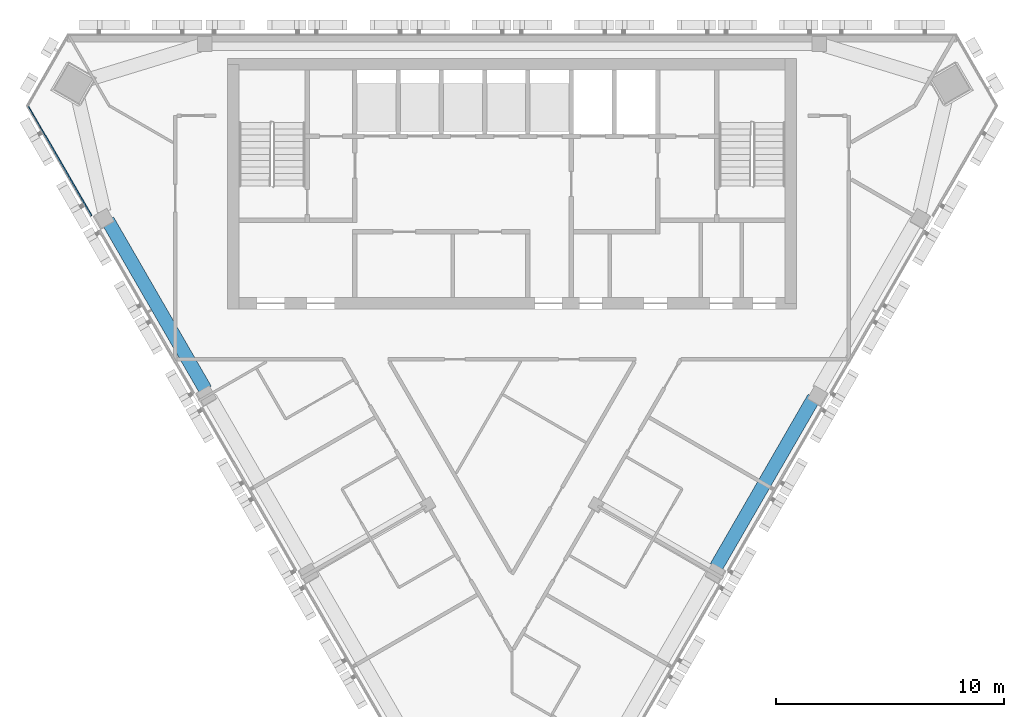
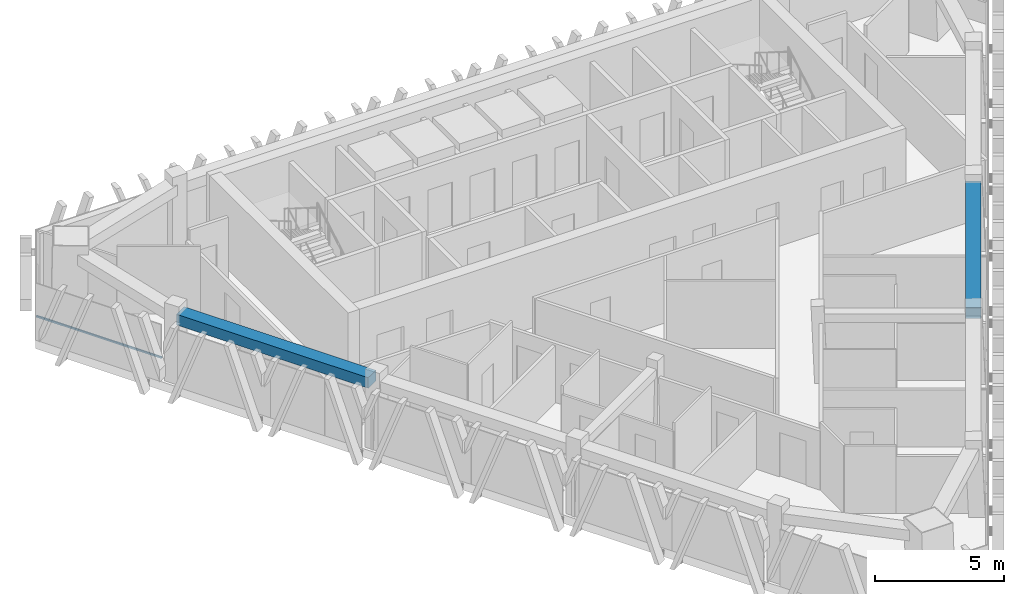
# One storey, part 3 of 12: 2 beams, 1 member, 1 element without a shape of its own.
"""IFC4 building model written with IfcOpenShell, lengths in metres."""

from ifc_helpers import new_model, si_unit, direction, frame, origin, origin_2d, place, context, subcontext, project, spatial, rectangle, extrude, material, layer, layer_set, material_profile, profile_set, type_object, element, aggregate, save


model = new_model("IFC4")

# Units and contexts
model_context = context("Model", 3, precision=1e-05, world=origin(), true_north=direction((0.0, 1.0)))
body_context = subcontext(model_context, "Body", "Model", "MODEL_VIEW")
ifc_project = project(units=[si_unit("LENGTHUNIT", "METRE"), si_unit("AREAUNIT", "SQUARE_METRE"), si_unit("VOLUMEUNIT", "CUBIC_METRE"), si_unit("PLANEANGLEUNIT", "RADIAN"), si_unit("MASSUNIT", "GRAM", prefix="KILO")], contexts=[model_context])

# Site, building, storey
site_placement = place(None, origin())
site = spatial("IfcSite", under=ifc_project, at=site_placement, CompositionType="ELEMENT")
building_placement = place(site_placement, origin())
building = spatial("IfcBuilding", under=site, at=building_placement, Name="Altiplano Prism Tower", CompositionType="ELEMENT")
storey_placement = place(building_placement, frame((0.0, 0.0, 323.800048828125)))
storey = spatial("IfcBuildingStorey", under=building, at=storey_placement, Name="L84", CompositionType="ELEMENT", Elevation=323.800048828125)

# Curtain wall, member
ifc_material_1 = material(Name="Aluminium and glass", Category="aluminium")
ifc_layer = layer(ifc_material_1, 0.280029296875)
ifc_layer_set = layer_set([ifc_layer], Name="Aluminium and glass")
curtain_wall_type = type_object("IfcCurtainWallType", Name="CW1 typical co-living unitised curtain wall", PredefinedType="NOTDEFINED", material=ifc_layer_set)
curtain_wall_placement = place(storey_placement, origin())
curtain_wall = element("IfcCurtainWall", 1, at=curtain_wall_placement, inside=storey, type_object=curtain_wall_type, Name="CW1 curtain wall south-west face L84", PredefinedType="NOTDEFINED")
ifc_material_2 = material(Name="Aluminium", Category="aluminium")
ifc_material_profile_1 = material_profile(ifc_material_2, rectangle(XDim=0.06005859375, YDim=0.080078125, at=origin_2d()), Name="CW1 transom 80 x 60")
ifc_profile_set_1 = profile_set([ifc_material_profile_1], Name="Aluminium")
member_type = type_object("IfcMemberType", Name="CW1 transom 80 x 60", PredefinedType="USERDEFINED", material=ifc_profile_set_1)
member_placement = place(storey_placement, frame((63.7041015625, 101.870361328125, 1.099853515625), z_axis=(0.500004234368, -0.866022959057, 0.0), x_axis=(0.866022959057, 0.500004234368, 0.0)))
member = element("IfcMember", 2, at=member_placement, type_object=member_type, Name="CW1 transom", ObjectType="TRANSOM", PredefinedType="USERDEFINED", context=body_context, shape_type="SweptSolid", body=[
    extrude(rectangle(XDim=0.06005859375, YDim=0.080078125, at=origin_2d()), origin(), (0.0, 0.0, 1.0), 5.625),
])
aggregate(curtain_wall, [member])

# Beams
ifc_material_3 = material(Name="Concrete C60/75", Category="concrete")
ifc_material_profile_2 = material_profile(ifc_material_3, rectangle(XDim=0.60009765625, YDim=0.5, at=origin_2d()), Name="Edge beam 600x500")
ifc_profile_set_2 = profile_set([ifc_material_profile_2], Name="Concrete C60/75")
beam_type = type_object("IfcBeamType", Name="Edge beam 600x500", PredefinedType="SPANDREL", material=ifc_profile_set_2)
beam_1_placement = place(storey_placement, frame((67.23046875, 96.7998046875, 2.949951171875), z_axis=(0.499990619765, -0.866030819398, 0.0), x_axis=(0.866030819398, 0.499990619765, 0.0)))
element("IfcBeam", 3, at=beam_1_placement, inside=storey, type_object=beam_type, Name="Edge beam P11-P12 L85", PredefinedType="SPANDREL", context=body_context, shape_type="SweptSolid", body=[
    extrude(rectangle(XDim=0.60009765625, YDim=0.5, at=origin_2d()), origin(), (0.0, 0.0, 1.0), 8.590087890625),
])
beam_2_placement = place(storey_placement, frame((93.974609375, 81.56640625, 2.949951171875), z_axis=(0.500002926724, 0.866023714033, 0.0), x_axis=(-0.866023714033, 0.500002926724, 0.0)))
element("IfcBeam", 4, at=beam_2_placement, inside=storey, type_object=beam_type, Name="Edge beam P22-P23 L85", PredefinedType="SPANDREL", context=body_context, shape_type="SweptSolid", body=[
    extrude(rectangle(XDim=0.60009765625, YDim=0.5, at=origin_2d()), origin(), (0.0, 0.0, 1.0), 8.58984375),
])

save(model, "model.ifc")
